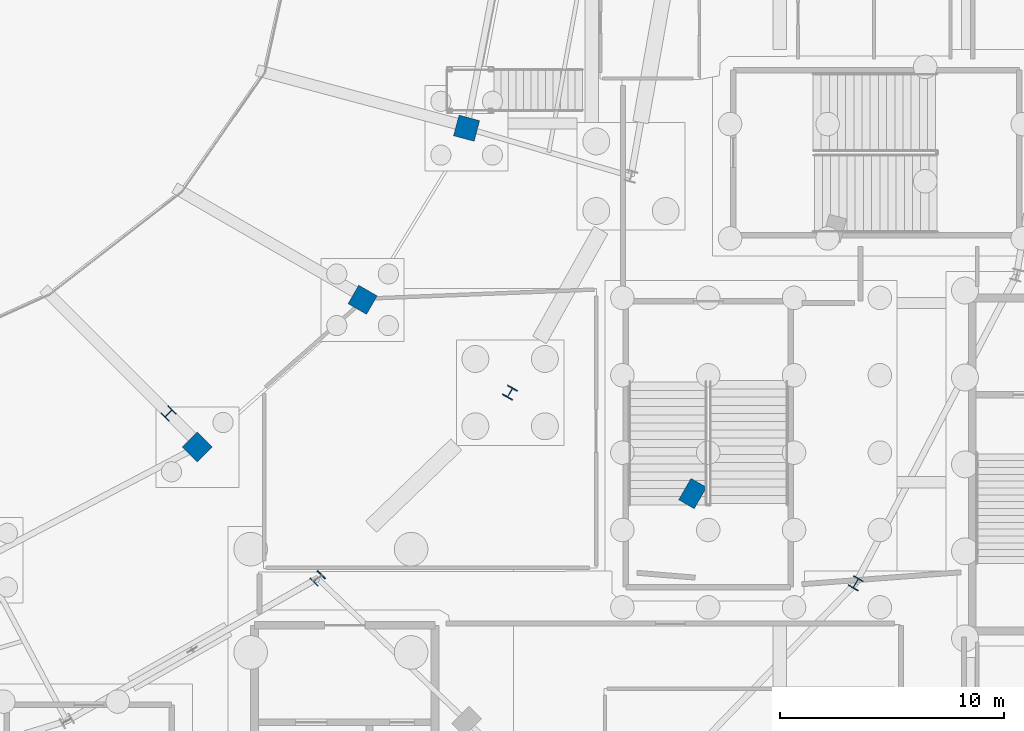
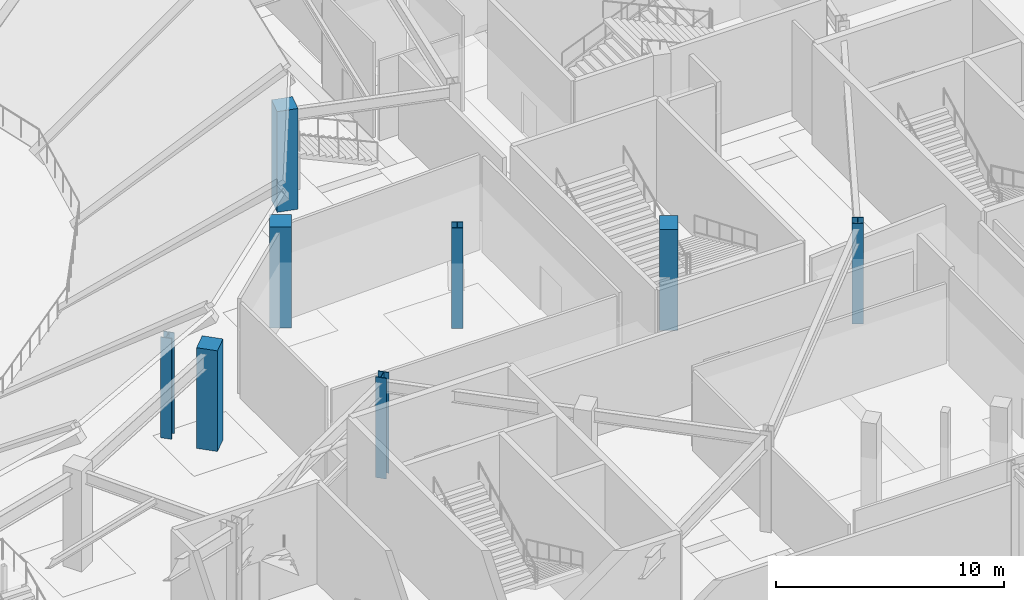
# One storey, part 27 of 93: 8 columns.
"""IFC4 building model written with IfcOpenShell, lengths in metres."""

from ifc_helpers import new_model, si_unit, direction, frame, origin, origin_2d, place, context, subcontext, project, spatial, rectangle, i_section, extrude, material, material_profile, profile_set, type_object, element, save


model = new_model("IFC4")

# Units and contexts
model_context = context("Model", 3, precision=1e-05, world=origin(), true_north=direction((0.0, 1.0)))
body_context = subcontext(model_context, "Body", "Model", "MODEL_VIEW")
ifc_project = project(units=[si_unit("LENGTHUNIT", "METRE"), si_unit("AREAUNIT", "SQUARE_METRE"), si_unit("VOLUMEUNIT", "CUBIC_METRE"), si_unit("PLANEANGLEUNIT", "RADIAN"), si_unit("MASSUNIT", "GRAM", prefix="KILO")], contexts=[model_context])

# Site, building, storey
site_placement = place(None, origin())
site = spatial("IfcSite", under=ifc_project, at=site_placement, CompositionType="ELEMENT")
building_placement = place(site_placement, origin())
building = spatial("IfcBuilding", under=site, at=building_placement, Name="Kalgoora Escarpment Arena", CompositionType="ELEMENT")
storey_placement = place(building_placement, origin())
storey = spatial("IfcBuildingStorey", under=building, at=storey_placement, Name="L00", CompositionType="ELEMENT", Elevation=0.0)

# Columns
ifc_material_1 = material(Name="Structural steel Grade 350 (350 MPa)", Category="steel")
ifc_material_profile_1 = material_profile(ifc_material_1, i_section(OverallWidth=0.5, OverallDepth=0.5, WebThickness=0.02001953125, FlangeThickness=0.034912109375, at=origin_2d()))
ifc_profile_set_1 = profile_set([ifc_material_profile_1], Name="Structural steel Grade 350 (350 MPa)")
column_type_1 = type_object("IfcColumnType", Name="COL-COL-500WC340", PredefinedType="COLUMN", material=ifc_profile_set_1)
column_1_placement = place(storey_placement, frame((154.58056640625, 35.5, 0.0), z_axis=(0.0, 0.0, 1.0), x_axis=(0.866025403784, -0.5, 0.0)))
element("IfcColumn", 1, at=column_1_placement, inside=storey, type_object=column_type_1, Name="L00 structural column COL-RCONC2-R23", PredefinedType="COLUMN", context=body_context, shape_type="SweptSolid", body=[
    extrude(i_section(OverallWidth=0.5, OverallDepth=0.5, WebThickness=0.02001953125, FlangeThickness=0.034912109375, at=origin_2d()), origin(), (0.0, 0.0, 1.0), 5.39990234375),
])
ifc_material_2 = material(Name="Structural steel Grade 350 (350 MPa)", Category="steel")
ifc_material_profile_2 = material_profile(ifc_material_2, i_section(OverallWidth=0.5, OverallDepth=0.5, WebThickness=0.02490234375, FlangeThickness=0.0419921875, at=origin_2d()))
ifc_profile_set_2 = profile_set([ifc_material_profile_2], Name="Structural steel Grade 350 (350 MPa)")
column_type_2 = type_object("IfcColumnType", Name="COL-COL-500WC440", PredefinedType="COLUMN", material=ifc_profile_set_2)
for number, where, z_axis, x_axis, name in (
    (2, (130.583740234375, 35.7158203125, 0.0), (0.0, 0.0, 1.0), (0.707106781187, -0.707106781187, 0.0), "L00 structural column COL-RMAIN-R22"),
    (3, (139.165283203125, 44.0, 0.0), (0.0, 0.0, 1.0), (0.866025403784, -0.5, 0.0), "L00 structural column COL-RMAIN-R23"),
    (4, (123.93701171875, 43.069580078125, 0.0), (0.0, 0.0, 1.0), (0.707106781187, -0.707106781187, 0.0), "L00 structural column COL-TSPINE-S08"),
):
    element("IfcColumn", number, at=place(storey_placement, frame(where, z_axis=z_axis, x_axis=x_axis)), inside=storey, type_object=column_type_2, Name=name, PredefinedType="COLUMN", context=body_context, shape_type="SweptSolid", body=[
        extrude(i_section(OverallWidth=0.5, OverallDepth=0.5, WebThickness=0.02490234375, FlangeThickness=0.0419921875, at=origin_2d()), origin(), (0.0, 0.0, 1.0), 5.39990234375),
    ])
ifc_material_3 = material(Name="Concrete N50 (fc' 50 MPa)", Category="concrete")
ifc_material_profile_3 = material_profile(ifc_material_3, rectangle(XDim=0.800048828125, YDim=1.10009765625, at=origin_2d()))
ifc_profile_set_3 = profile_set([ifc_material_profile_3], Name="Concrete N50 (fc' 50 MPa)")
column_type_3 = type_object("IfcColumnType", Name="COL-COL-RC1100x800", PredefinedType="COLUMN", material=ifc_profile_set_3)
column_2_placement = place(storey_placement, frame((147.305908203125, 39.5, 0.0), z_axis=(0.0, 0.0, 1.0), x_axis=(0.866025403784, -0.5, 0.0)))
element("IfcColumn", 5, at=column_2_placement, inside=storey, type_object=column_type_3, Name="L00 structural column COL-RCONC1-R23", PredefinedType="COLUMN", context=body_context, shape_type="SweptSolid", body=[
    extrude(rectangle(XDim=0.800048828125, YDim=1.10009765625, at=origin_2d()), origin(), (0.0, 0.0, 1.0), 5.39990234375),
])
ifc_material_4 = material(Name="Concrete N50 (fc' 50 MPa)", Category="concrete")
ifc_material_profile_4 = material_profile(ifc_material_4, rectangle(XDim=0.949951171875, YDim=0.949951171875, at=origin_2d()))
ifc_profile_set_4 = profile_set([ifc_material_profile_4], Name="Concrete N50 (fc' 50 MPa)")
column_type_4 = type_object("IfcColumnType", Name="COL-COL-RC950x950", PredefinedType="COLUMN", material=ifc_profile_set_4)
for number, where, z_axis, x_axis, name in (
    (6, (125.216796875, 41.570556640625, 0.0), (0.0, 0.0, 1.0), (0.707106781187, -0.707106781187, 0.0), "L00 structural column COL-RMID-R22"),
    (7, (132.59228515625, 48.139892578125, 0.0), (0.0, 0.0, 1.0), (0.866025403784, -0.5, 0.0), "L00 structural column COL-RMID-R23"),
    (8, (137.228515625, 55.790283203125, 0.0), (0.0, 0.0, 1.0), (0.965925826289, -0.258819045103, 0.0), "L00 structural column COL-RMID-R24"),
):
    element("IfcColumn", number, at=place(storey_placement, frame(where, z_axis=z_axis, x_axis=x_axis)), inside=storey, type_object=column_type_4, Name=name, PredefinedType="COLUMN", context=body_context, shape_type="SweptSolid", body=[
        extrude(rectangle(XDim=0.949951171875, YDim=0.949951171875, at=origin_2d()), origin(), (0.0, 0.0, 1.0), 5.39990234375),
    ])

save(model, "model.ifc")
